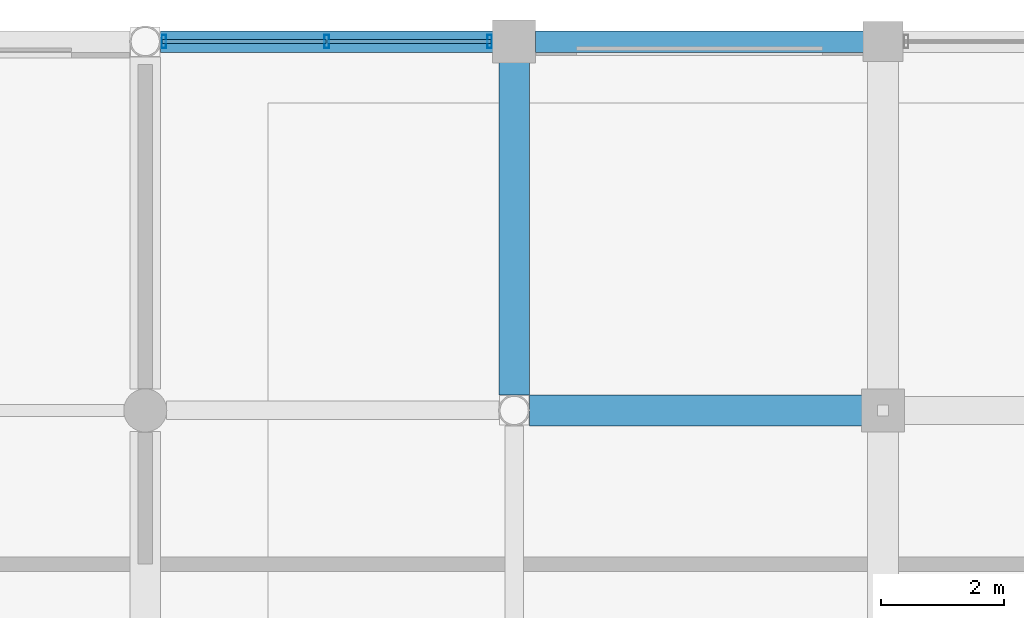
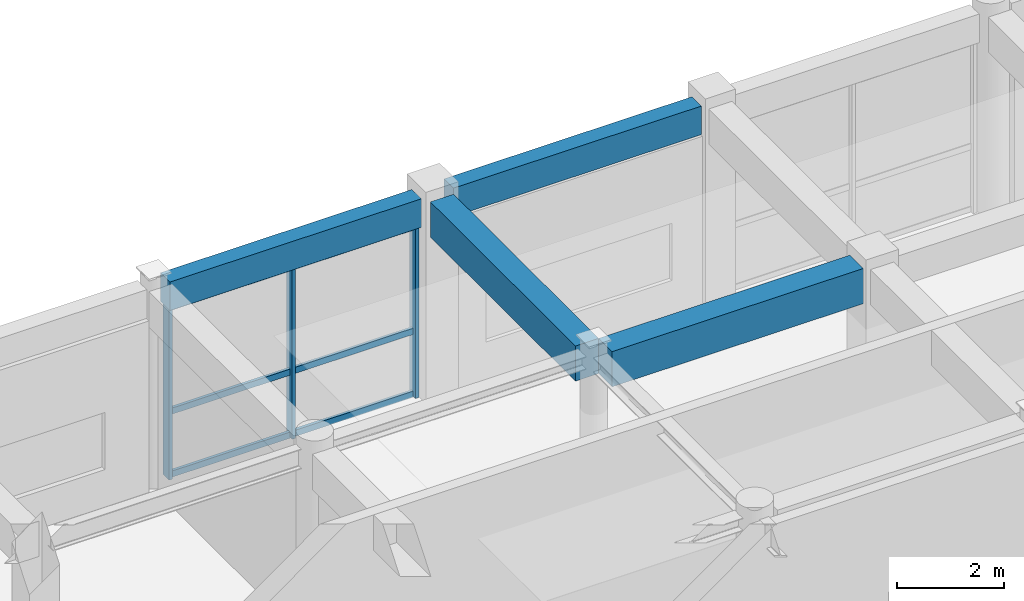
# One storey, part 49 of 112: 9 members, 4 beams, 1 element without a shape of its own.
"""IFC4 building model written with IfcOpenShell, lengths in metres."""

from ifc_helpers import new_model, si_unit, direction, frame, origin, origin_2d, place, context, subcontext, project, spatial, rectangle, hollow_rectangle, extrude, material, material_profile, profile_set, type_object, element, aggregate, save


model = new_model("IFC4")

# Units and contexts
model_context = context("Model", 3, precision=1e-05, world=origin(), true_north=direction((0.0, 1.0)))
body_context = subcontext(model_context, "Body", "Model", "MODEL_VIEW")
ifc_project = project(units=[si_unit("LENGTHUNIT", "METRE"), si_unit("AREAUNIT", "SQUARE_METRE"), si_unit("VOLUMEUNIT", "CUBIC_METRE"), si_unit("PLANEANGLEUNIT", "RADIAN"), si_unit("MASSUNIT", "GRAM", prefix="KILO"), si_unit("THERMODYNAMICTEMPERATUREUNIT", "KELVIN"), si_unit("POWERUNIT", "WATT")], contexts=[model_context])

# Site, building, storey
site_placement = place(None, origin())
site = spatial("IfcSite", under=ifc_project, at=site_placement, CompositionType="ELEMENT")
building_placement = place(site_placement, origin())
building = spatial("IfcBuilding", under=site, at=building_placement, Name="Phaisarnlok Congress Hotel", CompositionType="ELEMENT")
storey_placement = place(building_placement, frame((0.0, 0.0, 19.800048828125)))
storey = spatial("IfcBuildingStorey", under=building, at=storey_placement, Name="L04", CompositionType="ELEMENT", Elevation=19.800048828125)

# Beams
ifc_material_1 = material(Name="Concrete C40/50", Category="concrete")
ifc_material_profile_1 = material_profile(ifc_material_1, rectangle(XDim=0.5, YDim=0.800048828125, at=origin_2d()), Name="RC 500x800")
ifc_profile_set_1 = profile_set([ifc_material_profile_1], Name="Concrete C40/50")
beam_type_1 = type_object("IfcBeamType", Name="BM-RC-500x800", PredefinedType="BEAM", material=ifc_profile_set_1)
for number, where, z_axis, x_axis, name in (
    (1, (90.2490234375, 120.0, 4.14990234375), (1.0, 0.0, 0.0), (0.0, 1.0, 0.0), "Beam B-04"),
    (2, (90.0, 120.2490234375, 4.14990234375), (0.0, 1.0, 0.0), (-1.0, 0.0, 0.0), "Beam B-04"),
):
    element("IfcBeam", number, at=place(storey_placement, frame(where, z_axis=z_axis, x_axis=x_axis)), inside=storey, type_object=beam_type_1, Name=name, PredefinedType="BEAM", context=body_context, shape_type="SweptSolid", body=[
        extrude(rectangle(XDim=0.5, YDim=0.800048828125, at=origin_2d()), origin(), (0.0, 0.0, 1.0), 5.406005859375),
    ])

# Curtain wall, members
ifc_material_2 = material(Name="Thermally Broken Unitised Aluminium & Low-E Glazing", Category="aluminium")
curtain_wall_type = type_object("IfcCurtainWallType", Name="CW-UNIT-34", PredefinedType="NOTDEFINED", material=ifc_material_2)
curtain_wall_placement = place(storey_placement, origin())
curtain_wall = element("IfcCurtainWall", 3, at=curtain_wall_placement, inside=storey, type_object=curtain_wall_type, Name="Unitised curtain wall CW-34 (L04)", PredefinedType="NOTDEFINED")
ifc_material_3 = material(Name="Anodised Aluminium Alloy 6063-T6", Category="aluminium")
ifc_material_profile_2 = material_profile(ifc_material_3, hollow_rectangle(XDim=0.074951171875, YDim=0.219970703125, WallThickness=0.0048828125, at=origin_2d()), Name="ALU-M 75x220x5")
ifc_profile_set_2 = profile_set([ifc_material_profile_2], Name="Anodised Aluminium Alloy 6063-T6")
member_type_1 = type_object("IfcMemberType", Name="CWM-220", PredefinedType="MULLION", material=ifc_profile_set_2)
member_1_placement = place(storey_placement, frame((89.60009765625, 126.0, 0.0), z_axis=(0.0, 0.0, 1.0), x_axis=(-1.0, 0.0, 0.0)))
member_1 = element("IfcMember", 4, at=member_1_placement, type_object=member_type_1, Name="Curtain wall mullion CWM-02", PredefinedType="MULLION", context=body_context, shape_type="SweptSolid", body=[
    extrude(hollow_rectangle(XDim=0.074951171875, YDim=0.219970703125, WallThickness=0.0048828125, at=origin_2d()), origin(), (0.0, 0.0, 1.0), 3.89990234375),
])
member_2_placement = place(storey_placement, frame((86.951904296875, 126.0, 0.0), z_axis=(0.0, 0.0, 1.0), x_axis=(-1.0, 0.0, 0.0)))
member_2 = element("IfcMember", 5, at=member_2_placement, type_object=member_type_1, Name="Curtain wall mullion CWM-02", PredefinedType="MULLION", context=body_context, shape_type="SweptSolid", body=[
    extrude(hollow_rectangle(XDim=0.074951171875, YDim=0.219970703125, WallThickness=0.0048828125, at=origin_2d()), origin(), (0.0, 0.0, 1.0), 3.89990234375),
])
member_3_placement = place(storey_placement, frame((84.303955078125, 126.0, 0.0), z_axis=(0.0, 0.0, 1.0), x_axis=(-1.0, 0.0, 0.0)))
member_3 = element("IfcMember", 6, at=member_3_placement, type_object=member_type_1, Name="Curtain wall mullion CWM-02", PredefinedType="MULLION", context=body_context, shape_type="SweptSolid", body=[
    extrude(hollow_rectangle(XDim=0.074951171875, YDim=0.219970703125, WallThickness=0.0048828125, at=origin_2d()), origin(), (0.0, 0.0, 1.0), 3.89990234375),
])
ifc_material_profile_3 = material_profile(ifc_material_3, hollow_rectangle(XDim=0.06494140625, YDim=0.139892578125, WallThickness=0.00390625, at=origin_2d()), Name="ALU-T 65x140x4")
ifc_profile_set_3 = profile_set([ifc_material_profile_3], Name="Anodised Aluminium Alloy 6063-T6")
member_type_2 = type_object("IfcMemberType", Name="CWT-150", PredefinedType="USERDEFINED", material=ifc_profile_set_3)
member_4_placement = place(storey_placement, frame((89.625, 126.0, 0.050048828125), z_axis=(-1.0, 0.0, 0.0), x_axis=(0.0, -1.0, 0.0)))
member_4 = element("IfcMember", 7, at=member_4_placement, type_object=member_type_2, Name="Curtain wall transom CWT-01", ObjectType="TRANSOM", PredefinedType="USERDEFINED", context=body_context, shape_type="SweptSolid", body=[
    extrude(hollow_rectangle(XDim=0.06494140625, YDim=0.139892578125, WallThickness=0.00390625, at=origin_2d()), origin(), (0.0, 0.0, 1.0), 2.657958984375),
])
member_5_placement = place(storey_placement, frame((89.625, 126.0, 1.48193359375), z_axis=(-1.0, 0.0, 0.0), x_axis=(0.0, -1.0, 0.0)))
member_5 = element("IfcMember", 8, at=member_5_placement, type_object=member_type_2, Name="Curtain wall transom CWT-01", ObjectType="TRANSOM", PredefinedType="USERDEFINED", context=body_context, shape_type="SweptSolid", body=[
    extrude(hollow_rectangle(XDim=0.06494140625, YDim=0.139892578125, WallThickness=0.00390625, at=origin_2d()), origin(), (0.0, 0.0, 1.0), 2.657958984375),
])
member_6_placement = place(storey_placement, frame((89.625, 126.0, 3.849853515625), z_axis=(-1.0, 0.0, 0.0), x_axis=(0.0, -1.0, 0.0)))
member_6 = element("IfcMember", 9, at=member_6_placement, type_object=member_type_2, Name="Curtain wall transom CWT-01", ObjectType="TRANSOM", PredefinedType="USERDEFINED", context=body_context, shape_type="SweptSolid", body=[
    extrude(hollow_rectangle(XDim=0.06494140625, YDim=0.139892578125, WallThickness=0.00390625, at=origin_2d()), origin(), (0.0, 0.0, 1.0), 2.657958984375),
])
member_7_placement = place(storey_placement, frame((86.93701171875, 126.0, 0.050048828125), z_axis=(-1.0, 0.0, 0.0), x_axis=(0.0, -1.0, 0.0)))
member_7 = element("IfcMember", 10, at=member_7_placement, type_object=member_type_2, Name="Curtain wall transom CWT-01", ObjectType="TRANSOM", PredefinedType="USERDEFINED", context=body_context, shape_type="SweptSolid", body=[
    extrude(hollow_rectangle(XDim=0.06494140625, YDim=0.139892578125, WallThickness=0.00390625, at=origin_2d()), origin(), (0.0, 0.0, 1.0), 2.657958984375),
])
member_8_placement = place(storey_placement, frame((86.93701171875, 126.0, 1.48193359375), z_axis=(-1.0, 0.0, 0.0), x_axis=(0.0, -1.0, 0.0)))
member_8 = element("IfcMember", 11, at=member_8_placement, type_object=member_type_2, Name="Curtain wall transom CWT-01", ObjectType="TRANSOM", PredefinedType="USERDEFINED", context=body_context, shape_type="SweptSolid", body=[
    extrude(hollow_rectangle(XDim=0.06494140625, YDim=0.139892578125, WallThickness=0.00390625, at=origin_2d()), origin(), (0.0, 0.0, 1.0), 2.657958984375),
])
member_9_placement = place(storey_placement, frame((86.93701171875, 126.0, 3.849853515625), z_axis=(-1.0, 0.0, 0.0), x_axis=(0.0, -1.0, 0.0)))
member_9 = element("IfcMember", 12, at=member_9_placement, type_object=member_type_2, Name="Curtain wall transom CWT-01", ObjectType="TRANSOM", PredefinedType="USERDEFINED", context=body_context, shape_type="SweptSolid", body=[
    extrude(hollow_rectangle(XDim=0.06494140625, YDim=0.139892578125, WallThickness=0.00390625, at=origin_2d()), origin(), (0.0, 0.0, 1.0), 2.657958984375),
])
aggregate(curtain_wall, [member_1, member_2, member_3, member_4, member_5, member_6, member_7, member_8, member_9])

# Beams
ifc_material_profile_4 = material_profile(ifc_material_1, rectangle(XDim=0.35009765625, YDim=0.64990234375, at=origin_2d()), Name="RC 350x650")
ifc_profile_set_4 = profile_set([ifc_material_profile_4], Name="Concrete C40/50")
beam_type_2 = type_object("IfcBeamType", Name="SP-RC-350x650", PredefinedType="SPANDREL", material=ifc_profile_set_4)
beam_1_placement = place(storey_placement, frame((84.2490234375, 126.0, 4.224853515625), z_axis=(1.0, 0.0, 0.0), x_axis=(0.0, 1.0, 0.0)))
element("IfcBeam", 13, at=beam_1_placement, inside=storey, type_object=beam_type_2, Name="Beam SP-01", PredefinedType="SPANDREL", context=body_context, shape_type="SweptSolid", body=[
    extrude(rectangle(XDim=0.35009765625, YDim=0.64990234375, at=origin_2d()), origin(), (0.0, 0.0, 1.0), 5.406005859375),
])
beam_2_placement = place(storey_placement, frame((90.344970703125, 126.0, 4.224853515625), z_axis=(1.0, 0.0, 0.0), x_axis=(0.0, 1.0, 0.0)))
element("IfcBeam", 14, at=beam_2_placement, inside=storey, type_object=beam_type_2, Name="Beam SP-01", PredefinedType="SPANDREL", context=body_context, shape_type="SweptSolid", body=[
    extrude(rectangle(XDim=0.35009765625, YDim=0.64990234375, at=origin_2d()), origin(), (0.0, 0.0, 1.0), 5.3349609375),
])

save(model, "model.ifc")
